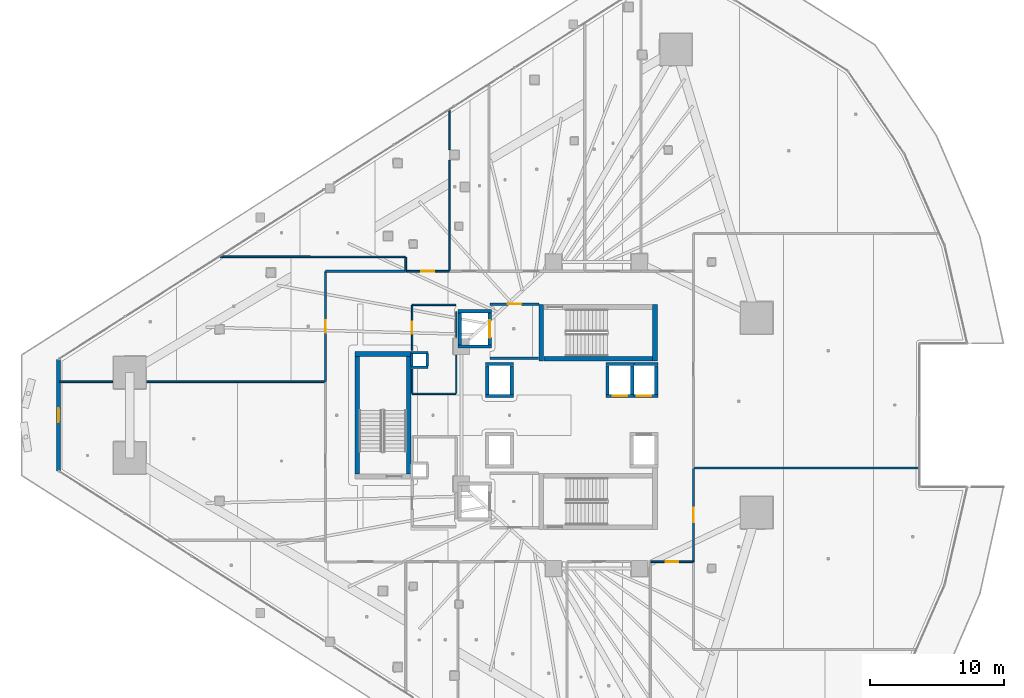
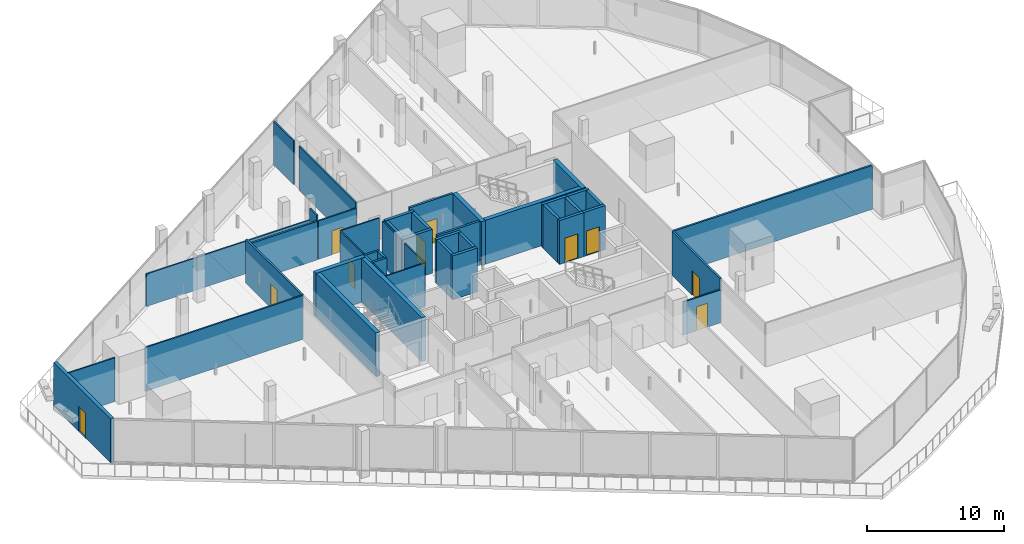
# One storey, part 29 of 44: 46 walls, 10 doors, 10 openings.
"""IFC4 building model written with IfcOpenShell, lengths in metres."""

from ifc_helpers import new_model, si_unit, direction, frame, frame_2d, origin, place, context, subcontext, project, spatial, rectangle, extrude, material, layer, layer_set, type_object, element, fill, save


model = new_model("IFC4")

# Units and contexts
model_context = context("Model", 3, precision=1e-05, world=origin(), true_north=direction((0.0, 1.0)))
body_context = subcontext(model_context, "Body", "Model", "MODEL_VIEW")
ifc_project = project(units=[si_unit("LENGTHUNIT", "METRE"), si_unit("AREAUNIT", "SQUARE_METRE"), si_unit("VOLUMEUNIT", "CUBIC_METRE"), si_unit("PLANEANGLEUNIT", "RADIAN"), si_unit("MASSUNIT", "GRAM", prefix="KILO")], contexts=[model_context])

# Site, building, storey
site_placement = place(None, origin())
site = spatial("IfcSite", under=ifc_project, at=site_placement, CompositionType="ELEMENT")
building_placement = place(site_placement, origin())
building = spatial("IfcBuilding", under=site, at=building_placement, Name="Qorvath Tower", CompositionType="ELEMENT")
storey_placement = place(building_placement, frame((0.0, 0.0, 45.0)))
storey = spatial("IfcBuildingStorey", under=building, at=storey_placement, Name="L09", CompositionType="ELEMENT", Elevation=45.0)

# Walls
ifc_material_1 = material(Name="Gypsum shaftliner on steel studs", Category="steel")
ifc_layer_1 = layer(ifc_material_1, 0.179931640625)
ifc_layer_set_1 = layer_set([ifc_layer_1], Name="FW-LOBBY")
wall_type_1 = type_object("IfcWallType", Name="FW-LOBBY", PredefinedType="PARTITIONING", material=ifc_layer_set_1)
for number, where, z_axis, x_axis, name in (
    (1, (-32.989990234375, 3.594970703125, 0.0), (0.0, 0.0, 1.0), (-1.0, 0.0, 0.0), "MEP Riser Shaft Enclosure Wall N-L09-S"),
    (2, (-34.260009765625, 4.675048828125, 0.0), (0.0, 0.0, 1.0), (1.0, 0.0, 0.0), "MEP Riser Shaft Enclosure Wall N-L09-N"),
):
    element("IfcWall", number, at=place(storey_placement, frame(where, z_axis=z_axis, x_axis=x_axis)), inside=storey, type_object=wall_type_1, Name=name, PredefinedType="PARTITIONING", context=body_context, shape_type="SweptSolid", body=[
        extrude(rectangle(XDim=1.27001953125, YDim=0.179931640625, at=frame_2d((0.635009765625, 0.0))), origin(), (0.0, 0.0, 1.0), 3.919921875),
    ])
for number, where, z_axis, x_axis, name in (
    (3, (-34.205078125, 3.659912109375, 0.0), (0.0, 0.0, 1.0), (0.0, 1.0, 0.0), "MEP Riser Shaft Enclosure Wall N-L09-W"),
    (4, (-33.044921875, 4.610107421875, 0.0), (0.0, 0.0, 1.0), (0.0, -1.0, 0.0), "MEP Riser Shaft Enclosure Wall N-L09-E"),
):
    element("IfcWall", number, at=place(storey_placement, frame(where, z_axis=z_axis, x_axis=x_axis)), inside=storey, type_object=wall_type_1, Name=name, PredefinedType="PARTITIONING", context=body_context, shape_type="SweptSolid", body=[
        extrude(rectangle(XDim=0.9501953125, YDim=0.179931640625, at=frame_2d((0.47509765625, 0.0))), origin(), (0.0, 0.0, 1.0), 3.919921875),
    ])
wall_1_placement = place(storey_placement, frame((-28.35498046875, 4.25, 0.0), z_axis=(0.0, 0.0, 1.0), x_axis=(1.0, 0.0, 0.0)))
element("IfcWall", 5, at=wall_1_placement, inside=storey, type_object=wall_type_1, Name="Interior Partition IW-T1-L09-001", PredefinedType="PARTITIONING", context=body_context, shape_type="SweptSolid", body=[
    extrude(rectangle(XDim=3.6220703125, YDim=0.179931640625, at=frame_2d((1.81103515625, 0.0))), origin(), (0.0, 0.0, 1.0), 3.919921875),
])

# Wall, opening, door
wall_2_placement = place(storey_placement, frame((-24.68408203125, 8.300048828125, 0.0), z_axis=(0.0, 0.0, 1.0), x_axis=(-1.0, 0.0, 0.0)))
wall_2 = element("IfcWall", 6, at=wall_2_placement, inside=storey, type_object=wall_type_1, Name="Interior Partition IW-T1-L09-002", PredefinedType="PARTITIONING", context=body_context, shape_type="SweptSolid", body=[
    extrude(rectangle(XDim=3.6708984375, YDim=0.179931640625, at=frame_2d((1.83544921875, 0.0))), origin(), (0.0, 0.0, 1.0), 3.919921875),
])
opening_1_placement = place(wall_2_placement, frame((1.33544921875, 0.0, 0.0)))
opening_1 = element("IfcOpeningElement", 7, at=opening_1_placement, cuts=wall_2, Name="Opening D-T1-L09-17", PredefinedType="OPENING", context=body_context, shape_type="SweptSolid", body=[
    extrude(rectangle(XDim=1.0, YDim=2.14990234375, at=frame_2d((0.5, 1.074951171875))), frame((0.0, 0.10009765625, 0.0), z_axis=(0.0, -1.0, 0.0), x_axis=(1.0, 0.0, 0.0)), (0.0, 0.0, 1.0), 0.199951171875),
])
ifc_material_2 = material(Name="Painted galvanised hollow metal", Category="steel")
door_type_1 = type_object("IfcDoorType", Name="FD-60", OperationType="NOTDEFINED", PredefinedType="DOOR", material=ifc_material_2)
door_1_placement = place(opening_1_placement, origin())
door_1 = element("IfcDoor", 8, at=door_1_placement, inside=storey, type_object=door_type_1, Name="Lobby Fire Service Elevator North Door D-T1-L09-17", OperationType="SINGLE_SWING_RIGHT", OverallHeight=2.14990234375, OverallWidth=1.0, PredefinedType="DOOR", context=body_context, shape_type="SweptSolid", body=[
    extrude(rectangle(XDim=1.0, YDim=2.14990234375, at=frame_2d((0.5, 1.074951171875))), frame((0.0, 0.02490234375, 0.0), z_axis=(0.0, -1.0, 0.0), x_axis=(1.0, 0.0, 0.0)), (0.0, 0.0, 1.0), 0.050048828125),
])
fill(opening_1, door_1)

# Wall
ifc_material_3 = material(Name="Double acoustic gypsum board on steel studs", Category="steel")
ifc_layer_2 = layer(ifc_material_3, 0.159912109375)
ifc_layer_set_2 = layer_set([ifc_layer_2], Name="IW-ACOUSTIC-160")
wall_type_2 = type_object("IfcWallType", Name="IW-ACOUSTIC-160", PredefinedType="PARTITIONING", material=ifc_layer_set_2)
wall_3_placement = place(storey_placement, frame((3.6630859375, -3.94140625, 0.0), z_axis=(0.0, 0.0, 1.0), x_axis=(-1.0, 0.0, 0.0)))
element("IfcWall", 9, at=wall_3_placement, inside=storey, type_object=wall_type_2, Name="Interior Partition IW-T1-L09-044", PredefinedType="PARTITIONING", context=body_context, shape_type="SweptSolid", body=[
    extrude(rectangle(XDim=16.7802734375, YDim=0.159912109375, at=frame_2d((8.39013671875, 0.0))), origin(), (0.0, 0.0, 1.0), 3.919921875),
])

# Wall, opening, door
wall_4_placement = place(storey_placement, frame((-13.14208984375, -3.96630859375, 0.0), z_axis=(0.0, 0.0, 1.0), x_axis=(0.0, -1.0, 0.0)))
wall_4 = element("IfcWall", 10, at=wall_4_placement, inside=storey, type_object=wall_type_2, Name="Interior Partition IW-T1-L09-045", PredefinedType="PARTITIONING", context=body_context, shape_type="SweptSolid", body=[
    extrude(rectangle(XDim=6.99169921875, YDim=0.159912109375, at=frame_2d((3.495849609375, 0.0))), origin(), (0.0, 0.0, 1.0), 3.919921875),
])
opening_2_placement = place(wall_4_placement, frame((2.94580078125, 0.0, 0.0)))
opening_2 = element("IfcOpeningElement", 11, at=opening_2_placement, cuts=wall_4, Name="Opening D-T1-L09-12", PredefinedType="OPENING", context=body_context, shape_type="SweptSolid", body=[
    extrude(rectangle(XDim=1.10009765625, YDim=2.14990234375, at=frame_2d((0.550048828125, 1.074951171875))), frame((0.0, 0.08984375, 0.0), z_axis=(0.0, -1.0, 0.0), x_axis=(1.0, 0.0, 0.0)), (0.0, 0.0, 1.0), 0.179931640625),
])
ifc_material_4 = material(Name="Anodised aluminium acoustic framed glass", Category="aluminium")
door_type_2 = type_object("IfcDoorType", Name="D-03", OperationType="NOTDEFINED", PredefinedType="DOOR", material=ifc_material_4)
door_2_placement = place(opening_2_placement, origin())
door_2 = element("IfcDoor", 12, at=door_2_placement, inside=storey, type_object=door_type_2, Name="L09-10 Enclosed Conference Suite Door D-T1-L09-12", OperationType="SINGLE_SWING_LEFT", OverallHeight=2.14990234375, OverallWidth=1.10009765625, PredefinedType="DOOR", context=body_context, shape_type="SweptSolid", body=[
    extrude(rectangle(XDim=1.10009765625, YDim=2.14990234375, at=frame_2d((0.550048828125, 1.074951171875))), frame((0.0, 0.02490234375, 0.0), z_axis=(0.0, -1.0, 0.0), x_axis=(1.0, 0.0, 0.0)), (0.0, 0.0, 1.0), 0.050048828125),
])
fill(opening_2, door_2)

wall_5_placement = place(storey_placement, frame((-40.657958984375, 2.53271484375, 0.0), z_axis=(0.0, 0.0, 1.0), x_axis=(0.0, 1.0, 0.0)))
wall_5 = element("IfcWall", 13, at=wall_5_placement, inside=storey, type_object=wall_type_2, Name="Interior Partition IW-T1-L09-053", PredefinedType="PARTITIONING", context=body_context, shape_type="SweptSolid", body=[
    extrude(rectangle(XDim=8.200439453125, YDim=0.159912109375, at=frame_2d((4.10009765625, 0.0))), origin(), (0.0, 0.0, 1.0), 3.919921875),
])
opening_3_placement = place(wall_5_placement, frame((3.625244140625, 0.0, 0.0)))
opening_3 = element("IfcOpeningElement", 14, at=opening_3_placement, cuts=wall_5, Name="Opening D-T1-L09-16", PredefinedType="OPENING", context=body_context, shape_type="SweptSolid", body=[
    extrude(rectangle(XDim=0.949951171875, YDim=2.14990234375, at=frame_2d((0.47509765625, 1.074951171875))), frame((0.0, 0.08984375, 0.0), z_axis=(0.0, -1.0, 0.0), x_axis=(1.0, 0.0, 0.0)), (0.0, 0.0, 1.0), 0.179931640625),
])
ifc_material_5 = material(Name="Solid-core American white oak veneer", Category="wood")
door_type_3 = type_object("IfcDoorType", Name="D-01", OperationType="NOTDEFINED", PredefinedType="DOOR", material=ifc_material_5)
door_3_placement = place(opening_3_placement, origin())
door_3 = element("IfcDoor", 15, at=door_3_placement, inside=storey, type_object=door_type_3, Name="L09-14 Staff Wellness Studio Door D-T1-L09-16", OperationType="SINGLE_SWING_LEFT", OverallHeight=2.14990234375, OverallWidth=0.949951171875, PredefinedType="DOOR", context=body_context, shape_type="SweptSolid", body=[
    extrude(rectangle(XDim=0.949951171875, YDim=2.14990234375, at=frame_2d((0.47509765625, 1.074951171875))), frame((0.0, 0.02490234375, 0.0), z_axis=(0.0, -1.0, 0.0), x_axis=(1.0, 0.0, 0.0)), (0.0, 0.0, 1.0), 0.050048828125),
])
fill(opening_3, door_3)

# Walls
wall_6_placement = place(storey_placement, frame((-34.68310546875, 10.758056640625, 0.0), z_axis=(0.0, 0.0, 1.0), x_axis=(-1.0, 0.0, 0.0)))
element("IfcWall", 16, at=wall_6_placement, inside=storey, type_object=wall_type_2, Name="Interior Partition IW-T1-L09-054", PredefinedType="PARTITIONING", context=body_context, shape_type="SweptSolid", body=[
    extrude(rectangle(XDim=5.949951171875, YDim=0.159912109375, at=frame_2d((2.97509765625, 0.0))), origin(), (0.0, 0.0, 1.0), 3.432861328125),
])
ifc_material_6 = material(Name="Gypsum board on metal studs with mineral wool", Category="gypsum")
ifc_layer_3 = layer(ifc_material_6, 0.125)
ifc_layer_set_3 = layer_set([ifc_layer_3], Name="IW-PART-125")
wall_type_3 = type_object("IfcWallType", Name="IW-PART-125", PredefinedType="PARTITIONING", material=ifc_layer_set_3)
wall_7_placement = place(storey_placement, frame((-48.529296875, 11.840087890625, 0.0), z_axis=(0.0, 0.0, 1.0), x_axis=(0.999999685592, -0.000792979239, 0.0)))
element("IfcWall", 17, at=wall_7_placement, inside=storey, type_object=wall_type_3, Name="Interior Partition IW-T1-L09-017", PredefinedType="PARTITIONING", context=body_context, shape_type="SweptSolid", body=[
    extrude(rectangle(XDim=13.8544921875, YDim=0.125, at=frame_2d((6.92724609375, 0.0))), origin(), (0.0, 0.0, 1.0), 2.889892578125),
])
wall_8_placement = place(storey_placement, frame((-34.64990234375, 10.783203125, 0.0), z_axis=(0.0, 0.0, 1.0), x_axis=(0.0, 1.0, 0.0)))
element("IfcWall", 18, at=wall_8_placement, inside=storey, type_object=wall_type_3, Name="Interior Partition IW-T1-L09-018", PredefinedType="PARTITIONING", context=body_context, shape_type="SweptSolid", body=[
    extrude(rectangle(XDim=1.02099609375, YDim=0.125, at=frame_2d((0.510498046875, 0.0))), origin(), (0.0, 0.0, 1.0), 3.919921875),
])

# Wall, opening, door
wall_9_placement = place(storey_placement, frame((-34.625, 10.758056640625, 0.0), z_axis=(0.0, 0.0, 1.0), x_axis=(1.0, 0.0, 0.0)))
wall_9 = element("IfcWall", 19, at=wall_9_placement, inside=storey, type_object=wall_type_3, Name="Interior Partition IW-T1-L09-019", PredefinedType="PARTITIONING", context=body_context, shape_type="SweptSolid", body=[
    extrude(rectangle(XDim=3.22412109375, YDim=0.125, at=frame_2d((1.612060546875, 0.0))), origin(), (0.0, 0.0, 1.0), 3.432861328125),
])
opening_4_placement = place(wall_9_placement, frame((1.136962890625, 0.0, 0.0)))
opening_4 = element("IfcOpeningElement", 20, at=opening_4_placement, cuts=wall_9, Name="Opening D-T1-L09-03", PredefinedType="OPENING", context=body_context, shape_type="SweptSolid", body=[
    extrude(rectangle(XDim=0.949951171875, YDim=2.14990234375, at=frame_2d((0.47509765625, 1.074951171875))), frame((0.0, 0.072509765625, 0.0), z_axis=(0.0, -1.0, 0.0), x_axis=(1.0, 0.0, 0.0)), (0.0, 0.0, 1.0), 0.14501953125),
])
door_4_placement = place(opening_4_placement, origin())
door_4 = element("IfcDoor", 21, at=door_4_placement, inside=storey, type_object=door_type_3, Name="L09-01 Focus Collaboration Pod Door D-T1-L09-03", OperationType="SINGLE_SWING_RIGHT", OverallHeight=2.14990234375, OverallWidth=0.949951171875, PredefinedType="DOOR", context=body_context, shape_type="SweptSolid", body=[
    extrude(rectangle(XDim=0.949951171875, YDim=2.14990234375, at=frame_2d((0.47509765625, 1.074951171875))), frame((0.0, 0.02490234375, 0.0), z_axis=(0.0, -1.0, 0.0), x_axis=(1.0, 0.0, 0.0)), (0.0, 0.0, 1.0), 0.050048828125),
])
fill(opening_4, door_4)

# Walls
wall_10_placement = place(storey_placement, frame((-31.3759765625, 10.783203125, 0.0), z_axis=(0.0, 0.0, 1.0), x_axis=(0.0, 1.0, 0.0)))
element("IfcWall", 22, at=wall_10_placement, inside=storey, type_object=wall_type_3, Name="Interior Partition IW-T1-L09-020", PredefinedType="PARTITIONING", context=body_context, shape_type="SweptSolid", body=[
    extrude(rectangle(XDim=8.287109375, YDim=0.125, at=frame_2d((4.1435546875, 0.0))), origin(), (0.0, 0.0, 1.0), 3.919921875),
])
wall_11_placement = place(storey_placement, frame((-31.3759765625, 19.850341796875, 0.0), z_axis=(0.0, 0.0, 1.0), x_axis=(0.0, 1.0, 0.0)))
element("IfcWall", 23, at=wall_11_placement, inside=storey, type_object=wall_type_3, Name="Interior Partition IW-T1-L09-021", PredefinedType="PARTITIONING", context=body_context, shape_type="SweptSolid", body=[
    extrude(rectangle(XDim=2.92431640625, YDim=0.125, at=frame_2d((1.462158203125, 0.0))), origin(), (0.0, 0.0, 1.0), 3.919921875),
])

# Wall, opening, door
wall_12_placement = place(storey_placement, frame((-13.1748046875, -10.9580078125, 0.0), z_axis=(0.0, 0.0, 1.0), x_axis=(-1.0, 0.0, 0.0)))
wall_12 = element("IfcWall", 24, at=wall_12_placement, inside=storey, type_object=wall_type_3, Name="Interior Partition IW-T1-L09-043", PredefinedType="PARTITIONING", context=body_context, shape_type="SweptSolid", body=[
    extrude(rectangle(XDim=3.169677734375, YDim=0.125, at=frame_2d((1.5849609375, 0.0))), origin(), (0.0, 0.0, 1.0), 2.956787109375),
])
opening_5_placement = place(wall_12_placement, frame((1.10986328125, 0.0, 0.0)))
opening_5 = element("IfcOpeningElement", 25, at=opening_5_placement, cuts=wall_12, Name="Opening D-T1-L09-11", PredefinedType="OPENING", context=body_context, shape_type="SweptSolid", body=[
    extrude(rectangle(XDim=0.949951171875, YDim=2.14990234375, at=frame_2d((0.47509765625, 1.074951171875))), frame((0.0, 0.072509765625, 0.0), z_axis=(0.0, -1.0, 0.0), x_axis=(1.0, 0.0, 0.0)), (0.0, 0.0, 1.0), 0.14501953125),
])
door_5_placement = place(opening_5_placement, origin())
door_5 = element("IfcDoor", 26, at=door_5_placement, inside=storey, type_object=door_type_3, Name="L09-09 Engineering Documentation Suite Door D-T1-L09-11", OperationType="SINGLE_SWING_RIGHT", OverallHeight=2.14990234375, OverallWidth=0.949951171875, PredefinedType="DOOR", context=body_context, shape_type="SweptSolid", body=[
    extrude(rectangle(XDim=0.949951171875, YDim=2.14990234375, at=frame_2d((0.47509765625, 1.074951171875))), frame((0.0, 0.02490234375, 0.0), z_axis=(0.0, -1.0, 0.0), x_axis=(1.0, 0.0, 0.0)), (0.0, 0.0, 1.0), 0.050048828125),
])
fill(opening_5, door_5)

# Walls
wall_13_placement = place(storey_placement, frame((-40.68310546875, 2.49951171875, 0.0), z_axis=(0.0, 0.0, 1.0), x_axis=(-1.0, 0.0, 0.0)))
element("IfcWall", 27, at=wall_13_placement, inside=storey, type_object=wall_type_3, Name="Interior Partition IW-T1-L09-051", PredefinedType="PARTITIONING", context=body_context, shape_type="SweptSolid", body=[
    extrude(rectangle(XDim=13.334716796875, YDim=0.125, at=frame_2d((6.66748046875, 0.0))), origin(), (0.0, 0.0, 1.0), 3.919921875),
])
wall_14_placement = place(storey_placement, frame((-56.5478515625, 2.49951171875, 0.0), z_axis=(0.0, 0.0, 1.0), x_axis=(-1.0, 0.0, 0.0)))
element("IfcWall", 28, at=wall_14_placement, inside=storey, type_object=wall_type_3, Name="Interior Partition IW-T1-L09-052", PredefinedType="PARTITIONING", context=body_context, shape_type="SweptSolid", body=[
    extrude(rectangle(XDim=3.97314453125, YDim=0.125, at=frame_2d((1.986572265625, 0.0))), origin(), (0.0, 0.0, 1.0), 3.919921875),
])
ifc_material_7 = material(Name="Moisture-resistant cement board on metal studs", Category="gypsum")
ifc_layer_4 = layer(ifc_material_7, 0.110107421875)
ifc_layer_set_4 = layer_set([ifc_layer_4], Name="IW-WC-110")
wall_type_4 = type_object("IfcWallType", Name="IW-WC-110", PredefinedType="PARTITIONING", material=ifc_layer_set_4)
wall_15_placement = place(storey_placement, frame((-34.15478515625, 1.60009765625, 0.0), z_axis=(0.0, 0.0, 1.0), x_axis=(1.0, 0.0, 0.0)))
element("IfcWall", 29, at=wall_15_placement, inside=storey, type_object=wall_type_4, Name="Interior Partition IW-T1-L09-005", PredefinedType="PARTITIONING", context=body_context, shape_type="SweptSolid", body=[
    extrude(rectangle(XDim=3.25, YDim=0.110107421875, at=frame_2d((1.625, 0.0))), origin(), (0.0, 0.0, 1.0), 3.919921875),
])
wall_16_placement = place(storey_placement, frame((-30.8798828125, 1.625, 0.0), z_axis=(0.0, 0.0, 1.0), x_axis=(0.0, 1.0, 0.0)))
element("IfcWall", 30, at=wall_16_placement, inside=storey, type_object=wall_type_4, Name="Interior Partition IW-T1-L09-006", PredefinedType="PARTITIONING", context=body_context, shape_type="SweptSolid", body=[
    extrude(rectangle(XDim=2.860107421875, YDim=0.110107421875, at=frame_2d((1.43017578125, 0.0))), origin(), (0.0, 0.0, 1.0), 3.919921875),
])
wall_17_placement = place(storey_placement, frame((-30.8798828125, 5.81494140625, 0.0), z_axis=(0.0, 0.0, 1.0), x_axis=(0.0, 1.0, 0.0)))
element("IfcWall", 31, at=wall_17_placement, inside=storey, type_object=wall_type_4, Name="Interior Partition IW-T1-L09-007", PredefinedType="PARTITIONING", context=body_context, shape_type="SweptSolid", body=[
    extrude(rectangle(XDim=1.927978515625, YDim=0.110107421875, at=frame_2d((0.9638671875, 0.0))), origin(), (0.0, 0.0, 1.0), 3.919921875),
])
wall_18_placement = place(storey_placement, frame((-30.90478515625, 8.25, 0.0), z_axis=(0.0, 0.0, 1.0), x_axis=(-1.0, 0.0, 0.0)))
element("IfcWall", 32, at=wall_18_placement, inside=storey, type_object=wall_type_4, Name="Interior Partition IW-T1-L09-008", PredefinedType="PARTITIONING", context=body_context, shape_type="SweptSolid", body=[
    extrude(rectangle(XDim=3.25, YDim=0.110107421875, at=frame_2d((1.625, 0.0))), origin(), (0.0, 0.0, 1.0), 3.919921875),
])

# Wall, opening, door
wall_19_placement = place(storey_placement, frame((-34.179931640625, 8.22509765625, 0.0), z_axis=(0.0, 0.0, 1.0), x_axis=(0.0, -1.0, 0.0)))
wall_19 = element("IfcWall", 33, at=wall_19_placement, inside=storey, type_object=wall_type_4, Name="Interior Partition IW-T1-L09-009", PredefinedType="PARTITIONING", context=body_context, shape_type="SweptSolid", body=[
    extrude(rectangle(XDim=3.385009765625, YDim=0.110107421875, at=frame_2d((1.6923828125, 0.0))), origin(), (0.0, 0.0, 1.0), 3.919921875),
])
opening_6_placement = place(wall_19_placement, frame((1.25244140625, 0.0, 0.0)))
opening_6 = element("IfcOpeningElement", 34, at=opening_6_placement, cuts=wall_19, Name="Opening D-T1-L09-01", PredefinedType="OPENING", context=body_context, shape_type="SweptSolid", body=[
    extrude(rectangle(XDim=0.8798828125, YDim=2.10009765625, at=frame_2d((0.43994140625, 1.050048828125))), frame((0.0, 0.06494140625, 0.0), z_axis=(0.0, -1.0, 0.0), x_axis=(1.0, 0.0, 0.0)), (0.0, 0.0, 1.0), 0.130126953125),
])
ifc_material_8 = material(Name="Solid-core oak with acoustic drop seal", Category="wood")
door_type_4 = type_object("IfcDoorType", Name="D-02", OperationType="NOTDEFINED", PredefinedType="DOOR", material=ifc_material_8)
door_6_placement = place(opening_6_placement, origin())
door_6 = element("IfcDoor", 35, at=door_6_placement, inside=storey, type_object=door_type_4, Name="Accessible WC North L09 Door D-T1-L09-01", OperationType="SINGLE_SWING_RIGHT", OverallHeight=2.10009765625, OverallWidth=0.8798828125, PredefinedType="DOOR", context=body_context, shape_type="SweptSolid", body=[
    extrude(rectangle(XDim=0.8798828125, YDim=2.10009765625, at=frame_2d((0.43994140625, 1.050048828125))), frame((0.0, 0.02490234375, 0.0), z_axis=(0.0, -1.0, 0.0), x_axis=(1.0, 0.0, 0.0)), (0.0, 0.0, 1.0), 0.050048828125),
])
fill(opening_6, door_6)

# Walls
wall_20_placement = place(storey_placement, frame((-34.179931640625, 3.429931640625, 0.0), z_axis=(0.0, 0.0, 1.0), x_axis=(0.0, -1.0, 0.0)))
element("IfcWall", 36, at=wall_20_placement, inside=storey, type_object=wall_type_4, Name="Interior Partition IW-T1-L09-010", PredefinedType="PARTITIONING", context=body_context, shape_type="SweptSolid", body=[
    extrude(rectangle(XDim=1.804931640625, YDim=0.110107421875, at=frame_2d((0.90234375, 0.0))), origin(), (0.0, 0.0, 1.0), 3.919921875),
])
ifc_material_9 = material(Name="Concrete C60/75", Category="concrete")
ifc_layer_5 = layer(ifc_material_9, 0.260009765625)
ifc_layer_set_5 = layer_set([ifc_layer_5], Name="SW-SHAFT")
wall_type_5 = type_object("IfcWallType", Name="SW-SHAFT", PredefinedType="SHEAR", material=ifc_layer_set_5)
for number, where, z_axis, x_axis, name in (
    (37, (-28.260009765625, 5.1298828125, 0.0), (0.0, 0.0, 1.0), (-1.0, 0.0, 0.0), "Hoistway Wall FSAE-1 L09 S"),
    (38, (-30.739990234375, 7.77001953125, 0.0), (0.0, 0.0, 1.0), (1.0, 0.0, 0.0), "Hoistway Wall FSAE-1 L09 N"),
):
    element("IfcWall", number, at=place(storey_placement, frame(where, z_axis=z_axis, x_axis=x_axis)), inside=storey, type_object=wall_type_5, Name=name, PredefinedType="SHEAR", context=body_context, shape_type="SweptSolid", body=[
        extrude(rectangle(XDim=2.47998046875, YDim=0.239990234375, at=frame_2d((1.239990234375, 0.0))), origin(), (0.0, 0.0, 1.0), 3.919921875),
    ])
wall_21_placement = place(storey_placement, frame((-30.6201171875, 5.261962890625, 0.0), z_axis=(0.0, 0.0, 1.0), x_axis=(0.0, 1.0, 0.0)))
element("IfcWall", 39, at=wall_21_placement, inside=storey, type_object=wall_type_5, Name="Hoistway Wall FSAE-1 L09 W", PredefinedType="SHEAR", context=body_context, shape_type="SweptSolid", body=[
    extrude(rectangle(XDim=2.3759765625, YDim=0.239990234375, at=frame_2d((1.18798828125, 0.0))), origin(), (0.0, 0.0, 1.0), 3.919921875),
])

# Wall, opening, door
wall_22_placement = place(storey_placement, frame((-28.3798828125, 7.637939453125, 0.0), z_axis=(0.0, 0.0, 1.0), x_axis=(0.0, -1.0, 0.0)))
wall_22 = element("IfcWall", 40, at=wall_22_placement, inside=storey, type_object=wall_type_5, Name="Hoistway Wall FSAE-1 L09 E", PredefinedType="SHEAR", context=body_context, shape_type="SweptSolid", body=[
    extrude(rectangle(XDim=2.3759765625, YDim=0.239990234375, at=frame_2d((1.18798828125, 0.0))), origin(), (0.0, 0.0, 1.0), 3.919921875),
])
opening_7_placement = place(wall_22_placement, frame((0.537841796875, 0.0, 0.0)))
opening_7 = element("IfcOpeningElement", 41, at=opening_7_placement, cuts=wall_22, Name="Opening LD-FSAE-1-L09", PredefinedType="OPENING", context=body_context, shape_type="SweptSolid", body=[
    extrude(rectangle(XDim=1.300048828125, YDim=2.300048828125, at=frame_2d((0.64990234375, 1.14990234375))), frame((0.0, 0.1298828125, 0.0), z_axis=(0.0, -1.0, 0.0), x_axis=(1.0, 0.0, 0.0)), (0.0, 0.0, 1.0), 0.260009765625),
])
ifc_material_10 = material(Name="Brushed stainless steel AISI 316", Category="steel")
door_type_5 = type_object("IfcDoorType", Name="LD-02", OperationType="NOTDEFINED", PredefinedType="DOOR", material=ifc_material_10)
door_7_placement = place(opening_7_placement, origin())
door_7 = element("IfcDoor", 42, at=door_7_placement, inside=storey, type_object=door_type_5, Name="Elevator Landing Sliding Door LD-FSAE-1-L09", OperationType="DOUBLE_DOOR_SLIDING", OverallHeight=2.300048828125, OverallWidth=1.300048828125, PredefinedType="DOOR", context=body_context, shape_type="SweptSolid", body=[
    extrude(rectangle(XDim=1.300048828125, YDim=2.300048828125, at=frame_2d((0.64990234375, 1.14990234375))), frame((0.0, 0.02490234375, 0.0), z_axis=(0.0, -1.0, 0.0), x_axis=(1.0, 0.0, 0.0)), (0.0, 0.0, 1.0), 0.050048828125),
])
fill(opening_7, door_7)

# Walls
for number, where, z_axis, x_axis, name in (
    (43, (-26.610107421875, 1.429931640625, 0.0), (0.0, 0.0, 1.0), (-1.0, 0.0, 0.0), "Hoistway Wall PS-1 L09 S"),
    (44, (-28.68994140625, 3.820068359375, 0.0), (0.0, 0.0, 1.0), (1.0, 0.0, 0.0), "Hoistway Wall PS-1 L09 N"),
):
    element("IfcWall", number, at=place(storey_placement, frame(where, z_axis=z_axis, x_axis=x_axis)), inside=storey, type_object=wall_type_5, Name=name, PredefinedType="SHEAR", context=body_context, shape_type="SweptSolid", body=[
        extrude(rectangle(XDim=2.079833984375, YDim=0.239990234375, at=frame_2d((1.0400390625, 0.0))), origin(), (0.0, 0.0, 1.0), 3.919921875),
    ])
for number, where, z_axis, x_axis, name in (
    (45, (-28.570068359375, 1.56201171875, 0.0), (0.0, 0.0, 1.0), (0.0, 1.0, 0.0), "Hoistway Wall PS-1 L09 W"),
    (46, (-26.72998046875, 3.68798828125, 0.0), (0.0, 0.0, 1.0), (0.0, -1.0, 0.0), "Hoistway Wall PS-1 L09 E"),
):
    element("IfcWall", number, at=place(storey_placement, frame(where, z_axis=z_axis, x_axis=x_axis)), inside=storey, type_object=wall_type_5, Name=name, PredefinedType="SHEAR", context=body_context, shape_type="SweptSolid", body=[
        extrude(rectangle(XDim=2.1259765625, YDim=0.239990234375, at=frame_2d((1.06298828125, 0.0))), origin(), (0.0, 0.0, 1.0), 3.919921875),
    ])

# Wall, opening, door
wall_23_placement = place(storey_placement, frame((-17.610107421875, 1.429931640625, 0.0), z_axis=(0.0, 0.0, 1.0), x_axis=(-1.0, 0.0, 0.0)))
wall_23 = element("IfcWall", 47, at=wall_23_placement, inside=storey, type_object=wall_type_5, Name="Hoistway Wall PL-1 L09 S", PredefinedType="SHEAR", context=body_context, shape_type="SweptSolid", body=[
    extrude(rectangle(XDim=2.079833984375, YDim=0.239990234375, at=frame_2d((1.0400390625, 0.0))), origin(), (0.0, 0.0, 1.0), 3.919921875),
])
opening_8_placement = place(wall_23_placement, frame((0.48974609375, 0.0, 0.0)))
opening_8 = element("IfcOpeningElement", 48, at=opening_8_placement, cuts=wall_23, Name="Opening LD-PL-1-L09", PredefinedType="OPENING", context=body_context, shape_type="SweptSolid", body=[
    extrude(rectangle(XDim=1.10009765625, YDim=2.199951171875, at=frame_2d((0.550048828125, 1.10009765625))), frame((0.0, 0.1298828125, 0.0), z_axis=(0.0, -1.0, 0.0), x_axis=(1.0, 0.0, 0.0)), (0.0, 0.0, 1.0), 0.260009765625),
])
ifc_material_11 = material(Name="Brushed stainless steel AISI 316", Category="steel")
door_type_6 = type_object("IfcDoorType", Name="LD-01", OperationType="NOTDEFINED", PredefinedType="DOOR", material=ifc_material_11)
door_8_placement = place(opening_8_placement, origin())
door_8 = element("IfcDoor", 49, at=door_8_placement, inside=storey, type_object=door_type_6, Name="Elevator Landing Sliding Door LD-PL-1-L09", OperationType="DOUBLE_DOOR_SLIDING", OverallHeight=2.199951171875, OverallWidth=1.10009765625, PredefinedType="DOOR", context=body_context, shape_type="SweptSolid", body=[
    extrude(rectangle(XDim=1.10009765625, YDim=2.199951171875, at=frame_2d((0.550048828125, 1.10009765625))), frame((0.0, 0.02490234375, 0.0), z_axis=(0.0, -1.0, 0.0), x_axis=(1.0, 0.0, 0.0)), (0.0, 0.0, 1.0), 0.050048828125),
])
fill(opening_8, door_8)

# Walls
wall_24_placement = place(storey_placement, frame((-19.68994140625, 3.820068359375, 0.0), z_axis=(0.0, 0.0, 1.0), x_axis=(1.0, 0.0, 0.0)))
element("IfcWall", 50, at=wall_24_placement, inside=storey, type_object=wall_type_5, Name="Hoistway Wall PL-1 L09 N", PredefinedType="SHEAR", context=body_context, shape_type="SweptSolid", body=[
    extrude(rectangle(XDim=2.079833984375, YDim=0.239990234375, at=frame_2d((1.0400390625, 0.0))), origin(), (0.0, 0.0, 1.0), 3.919921875),
])
for number, where, z_axis, x_axis, name in (
    (51, (-19.570068359375, 1.56201171875, 0.0), (0.0, 0.0, 1.0), (0.0, 1.0, 0.0), "Hoistway Wall PL-1 L09 W"),
    (52, (-17.72998046875, 3.68798828125, 0.0), (0.0, 0.0, 1.0), (0.0, -1.0, 0.0), "Hoistway Wall PL-1 L09 E"),
):
    element("IfcWall", number, at=place(storey_placement, frame(where, z_axis=z_axis, x_axis=x_axis)), inside=storey, type_object=wall_type_5, Name=name, PredefinedType="SHEAR", context=body_context, shape_type="SweptSolid", body=[
        extrude(rectangle(XDim=2.1259765625, YDim=0.239990234375, at=frame_2d((1.06298828125, 0.0))), origin(), (0.0, 0.0, 1.0), 3.919921875),
    ])

# Wall, opening, door
wall_25_placement = place(storey_placement, frame((-15.81005859375, 1.429931640625, 0.0), z_axis=(0.0, 0.0, 1.0), x_axis=(-1.0, 0.0, 0.0)))
wall_25 = element("IfcWall", 53, at=wall_25_placement, inside=storey, type_object=wall_type_5, Name="Hoistway Wall PL-3 L09 S", PredefinedType="SHEAR", context=body_context, shape_type="SweptSolid", body=[
    extrude(rectangle(XDim=1.800048828125, YDim=0.239990234375, at=frame_2d((0.89990234375, 0.0))), origin(), (0.0, 0.0, 1.0), 3.919921875),
])
opening_9_placement = place(wall_25_placement, frame((0.489990234375, 0.0, 0.0)))
opening_9 = element("IfcOpeningElement", 54, at=opening_9_placement, cuts=wall_25, Name="Opening LD-PL-3-L09", PredefinedType="OPENING", context=body_context, shape_type="SweptSolid", body=[
    extrude(rectangle(XDim=1.10009765625, YDim=2.199951171875, at=frame_2d((0.550048828125, 1.10009765625))), frame((0.0, 0.1298828125, 0.0), z_axis=(0.0, -1.0, 0.0), x_axis=(1.0, 0.0, 0.0)), (0.0, 0.0, 1.0), 0.260009765625),
])
door_9_placement = place(opening_9_placement, origin())
door_9 = element("IfcDoor", 55, at=door_9_placement, inside=storey, type_object=door_type_6, Name="Elevator Landing Sliding Door LD-PL-3-L09", OperationType="DOUBLE_DOOR_SLIDING", OverallHeight=2.199951171875, OverallWidth=1.10009765625, PredefinedType="DOOR", context=body_context, shape_type="SweptSolid", body=[
    extrude(rectangle(XDim=1.10009765625, YDim=2.199951171875, at=frame_2d((0.550048828125, 1.10009765625))), frame((0.0, 0.02490234375, 0.0), z_axis=(0.0, -1.0, 0.0), x_axis=(1.0, 0.0, 0.0)), (0.0, 0.0, 1.0), 0.050048828125),
])
fill(opening_9, door_9)

# Walls
wall_26_placement = place(storey_placement, frame((-17.610107421875, 3.820068359375, 0.0), z_axis=(0.0, 0.0, 1.0), x_axis=(1.0, 0.0, 0.0)))
element("IfcWall", 56, at=wall_26_placement, inside=storey, type_object=wall_type_5, Name="Hoistway Wall PL-3 L09 N", PredefinedType="SHEAR", context=body_context, shape_type="SweptSolid", body=[
    extrude(rectangle(XDim=1.800048828125, YDim=0.239990234375, at=frame_2d((0.89990234375, 0.0))), origin(), (0.0, 0.0, 1.0), 3.919921875),
])
wall_27_placement = place(storey_placement, frame((-15.929931640625, 3.68798828125, 0.0), z_axis=(0.0, 0.0, 1.0), x_axis=(0.0, -1.0, 0.0)))
element("IfcWall", 57, at=wall_27_placement, inside=storey, type_object=wall_type_5, Name="Hoistway Wall PL-3 L09 E", PredefinedType="SHEAR", context=body_context, shape_type="SweptSolid", body=[
    extrude(rectangle(XDim=2.1259765625, YDim=0.239990234375, at=frame_2d((1.06298828125, 0.0))), origin(), (0.0, 0.0, 1.0), 3.919921875),
])
ifc_material_12 = material(Name="Concrete C60/75", Category="concrete")
ifc_layer_6 = layer(ifc_material_12, 0.35009765625)
ifc_layer_set_6 = layer_set([ifc_layer_6], Name="SW-STAIR")
wall_type_6 = type_object("IfcWallType", Name="SW-STAIR", PredefinedType="SHEAR", material=ifc_layer_set_6)
for number, where, z_axis, x_axis, name in (
    (58, (-24.52490234375, 8.260009765625, 0.0), (0.0, 0.0, 1.0), (0.0, -1.0, 0.0), "Stair TS1 Shear Wall L09 NEAR"),
    (59, (-16.02490234375, 4.050048828125, 0.0), (0.0, 0.0, 1.0), (0.0, 1.0, 0.0), "Stair TS1 Shear Wall L09 FAR"),
):
    element("IfcWall", number, at=place(storey_placement, frame(where, z_axis=z_axis, x_axis=x_axis)), inside=storey, type_object=wall_type_6, Name=name, PredefinedType="SHEAR", context=body_context, shape_type="SweptSolid", body=[
        extrude(rectangle(XDim=4.2099609375, YDim=0.35009765625, at=frame_2d((2.10498046875, 0.0))), origin(), (0.0, 0.0, 1.0), 3.919921875),
    ])
wall_28_placement = place(storey_placement, frame((-24.3349609375, 4.22509765625, 0.0), z_axis=(0.0, 0.0, 1.0), x_axis=(1.0, 0.0, 0.0)))
element("IfcWall", 60, at=wall_28_placement, inside=storey, type_object=wall_type_6, Name="Stair TS1 Shear Wall L09 LEFT", PredefinedType="SHEAR", context=body_context, shape_type="SweptSolid", body=[
    extrude(rectangle(XDim=8.119873046875, YDim=0.35009765625, at=frame_2d((4.06005859375, 0.0))), origin(), (0.0, 0.0, 1.0), 3.919921875),
])
wall_29_placement = place(storey_placement, frame((-34.25, 4.574951171875, 0.0), z_axis=(0.0, 0.0, 1.0), x_axis=(-1.0, 0.0, 0.0)))
element("IfcWall", 61, at=wall_29_placement, inside=storey, type_object=wall_type_6, Name="Stair TS3 Shear Wall L09 FAR", PredefinedType="SHEAR", context=body_context, shape_type="SweptSolid", body=[
    extrude(rectangle(XDim=4.2099609375, YDim=0.35009765625, at=frame_2d((2.10498046875, 0.0))), origin(), (0.0, 0.0, 1.0), 3.919921875),
])
for number, where, z_axis, x_axis, name in (
    (62, (-34.425048828125, -4.385009765625, 0.0), (0.0, 0.0, 1.0), (0.0, 1.0, 0.0), "Stair TS3 Shear Wall L09 LEFT"),
    (63, (-38.284912109375, 4.385009765625, 0.0), (0.0, 0.0, 1.0), (0.0, -1.0, 0.0), "Stair TS3 Shear Wall L09 RIGHT"),
):
    element("IfcWall", number, at=place(storey_placement, frame(where, z_axis=z_axis, x_axis=x_axis)), inside=storey, type_object=wall_type_6, Name=name, PredefinedType="SHEAR", context=body_context, shape_type="SweptSolid", body=[
        extrude(rectangle(XDim=8.77001953125, YDim=0.35009765625, at=frame_2d((4.385009765625, 0.0))), origin(), (0.0, 0.0, 1.0), 3.919921875),
    ])

# Wall, opening, door
ifc_material_13 = material(Name="Precast concrete C45/55", Category="concrete")
ifc_layer_7 = layer(ifc_material_13, 0.300048828125)
ifc_layer_set_7 = layer_set([ifc_layer_7], Name="WL-EW-LOG-300")
wall_type_7 = type_object("IfcWallType", Name="WL-EW-LOG-300", PredefinedType="SOLIDWALL", material=ifc_layer_set_7)
wall_30_placement = place(storey_placement, frame((-60.60107421875, -4.176025390625, 0.0), z_axis=(0.0, 0.0, 1.0), x_axis=(0.0, 1.0, 0.0)))
wall_30 = element("IfcWall", 64, at=wall_30_placement, inside=storey, type_object=wall_type_7, Name="Tower Precast Loggia Wall L09-1.1", PredefinedType="SOLIDWALL", context=body_context, shape_type="SweptSolid", body=[
    extrude(rectangle(XDim=8.35205078125, YDim=0.300048828125, at=frame_2d((4.176025390625, 0.0))), origin(), (0.0, 0.0, 1.0), 3.919921875),
])
opening_10_placement = place(wall_30_placement, frame((3.65087890625, 0.0, 0.0)))
opening_10 = element("IfcOpeningElement", 65, at=opening_10_placement, cuts=wall_30, Name="Opening ED-L09-01", PredefinedType="OPENING", context=body_context, shape_type="SweptSolid", body=[
    extrude(rectangle(XDim=1.050048828125, YDim=2.199951171875, at=frame_2d((0.52490234375, 1.10009765625))), frame((0.0, 0.16015625, 0.0), z_axis=(0.0, -1.0, 0.0), x_axis=(1.0, 0.0, 0.0)), (0.0, 0.0, 1.0), 0.320068359375),
])
ifc_material_14 = material(Name="Thermally broken aluminium glazed door", Category="aluminium")
door_type_7 = type_object("IfcDoorType", Name="ED-LOG", OperationType="NOTDEFINED", PredefinedType="DOOR", material=ifc_material_14)
door_10_placement = place(opening_10_placement, origin())
door_10 = element("IfcDoor", 66, at=door_10_placement, inside=storey, type_object=door_type_7, Name="L09 Recessed Loggia Access Door 1", OperationType="SINGLE_SWING_RIGHT", OverallHeight=2.199951171875, OverallWidth=1.050048828125, PredefinedType="DOOR", context=body_context, shape_type="SweptSolid", body=[
    extrude(rectangle(XDim=1.050048828125, YDim=2.199951171875, at=frame_2d((0.52490234375, 1.10009765625))), frame((0.0, 0.02490234375, 0.0), z_axis=(0.0, -1.0, 0.0), x_axis=(1.0, 0.0, 0.0)), (0.0, 0.0, 1.0), 0.050048828125),
])
fill(opening_10, door_10)

save(model, "model.ifc")
